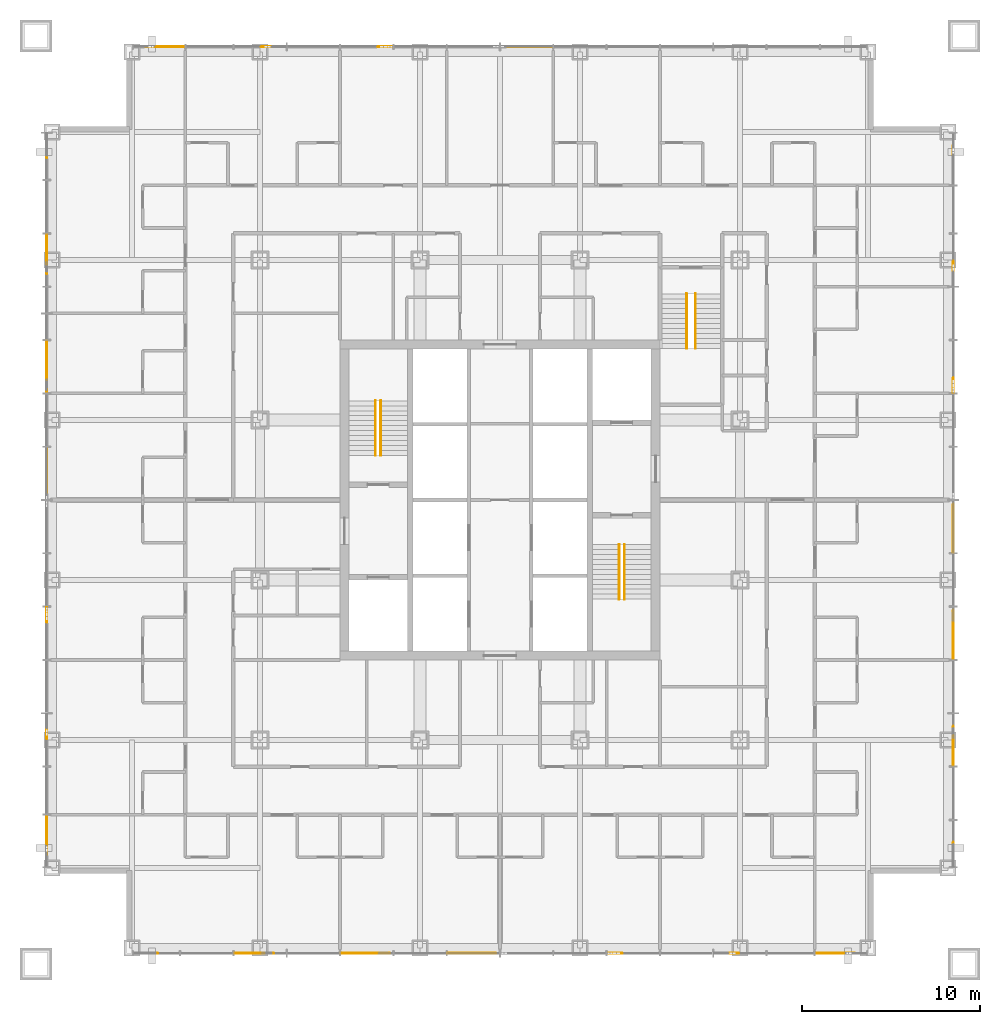
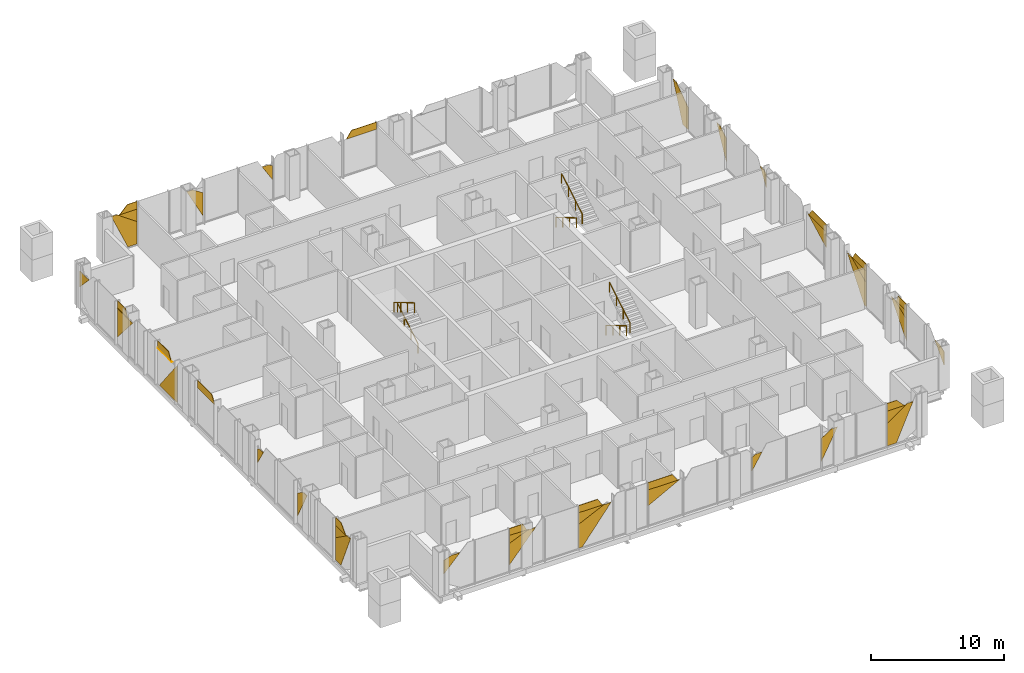
# One storey, part 13 of 23: 45 coverings, 6 railings.
"""IFC4 building model written with IfcOpenShell, lengths in metres."""

import ifcopenshell
import ifcopenshell.guid

model = None  # the IFC model being written
_history = None  # IfcOwnerHistory: only IFC2X3 demands one
_inside = {}  # id of a spatial element -> (the spatial element, [elements in it])
_under = {}  # id of a project, library or spatial element -> (it, [spatial elements below it])
_declared = {}  # id of a project -> (the project, [libraries it declares])
_typed = {}  # id of a type object -> (the type object, [elements of that type])
_made_of = {}  # id of a material, layer set ... -> (it, [elements and type objects made of it])


def new_model(schema):
    """Start an empty IFC model of exactly this schema.

    Asked for "IFC4X3", IfcOpenShell would pick the latest addendum, in which some entities
    have other attributes; the version numbers below select the first issue.
    IFC2X3 requires an IfcOwnerHistory on every rooted entity: one is made here for all.
    """
    global model, _history
    if schema == "IFC4X3":
        model = ifcopenshell.file(schema_version=(4, 3, 0, 0))
    else:
        model = ifcopenshell.file(schema=schema)
    _inside.clear()
    _under.clear()
    _declared.clear()
    _typed.clear()
    _made_of.clear()
    _history = None
    if model.schema == "IFC2X3":
        org = make("IfcOrganization", Name="unknown")
        user = make(
            "IfcPersonAndOrganization",
            ThePerson=make("IfcPerson", FamilyName="unknown"),
            TheOrganization=org,
        )
        app = make(
            "IfcApplication",
            ApplicationDeveloper=org,
            Version="unknown",
            ApplicationFullName="unknown",
            ApplicationIdentifier="unknown",
        )
        _history = make(
            "IfcOwnerHistory",
            OwningUser=user,
            OwningApplication=app,
            ChangeAction="ADDED",
            CreationDate=0,
        )
    return model


def make(cls, **values):
    """One entity of the class cls with the attributes given. An attribute that is None is left unset."""
    return model.create_entity(
        cls, **{name: value for name, value in values.items() if value is not None}
    )


def rooted(cls, **values):
    """An entity with a GlobalId (a new one), such as an element, a storey or a relation."""
    return make(cls, GlobalId=ifcopenshell.guid.new(), OwnerHistory=_history, **values)


def si_unit(unit_type, name, prefix=None):
    """IfcSIUnit, for example si_unit("LENGTHUNIT", "METRE", prefix="MILLI")."""
    return make("IfcSIUnit", UnitType=unit_type, Prefix=prefix, Name=name)


def assignment(units):
    """IfcUnitAssignment: the units of a project."""
    return None if units is None else make("IfcUnitAssignment", Units=units)


def point(xyz):
    """IfcCartesianPoint."""
    return None if xyz is None else make("IfcCartesianPoint", Coordinates=xyz)


def direction(xyz):
    """IfcDirection."""
    return None if xyz is None else make("IfcDirection", DirectionRatios=xyz)


def frame(location, z_axis=None, x_axis=None):
    """IfcAxis2Placement3D, a coordinate frame: its origin and axes. An axis left out is left unset."""
    return make(
        "IfcAxis2Placement3D",
        Location=point(location),
        Axis=direction(z_axis),
        RefDirection=direction(x_axis),
    )


def frame_2d(location, x_axis=None):
    """IfcAxis2Placement2D, a coordinate frame in the plane: its origin and x axis."""
    return make(
        "IfcAxis2Placement2D", Location=point(location), RefDirection=direction(x_axis)
    )


def origin():
    """The frame at (0, 0, 0) with its axes left unset."""
    return frame((0.0, 0.0, 0.0))


def origin_2d():
    """The frame at (0, 0) in the plane with its x axis left unset."""
    return frame_2d((0.0, 0.0))


def place(relative_to, where):
    """IfcLocalPlacement: puts the frame where relative to a parent placement (None: the world)."""
    return make(
        "IfcLocalPlacement", PlacementRelTo=relative_to, RelativePlacement=where
    )


def context(
    kind, dimensions, precision=None, world=None, true_north=None, identifier=None
):
    """IfcGeometricRepresentationContext, for example the 3D "Model" context."""
    return make(
        "IfcGeometricRepresentationContext",
        ContextIdentifier=identifier,
        ContextType=kind,
        CoordinateSpaceDimension=dimensions,
        Precision=precision,
        WorldCoordinateSystem=world,
        TrueNorth=true_north,
    )


def subcontext(parent, identifier, kind, view, scale=None):
    """IfcGeometricRepresentationSubContext, for example "Body" below "Model"."""
    return make(
        "IfcGeometricRepresentationSubContext",
        ContextIdentifier=identifier,
        ContextType=kind,
        ParentContext=parent,
        TargetScale=scale,
        TargetView=view,
    )


def project(units=None, contexts=None):
    """IfcProject with its units and contexts."""
    return rooted(
        "IfcProject",
        Name="project",
        RepresentationContexts=contexts,
        UnitsInContext=assignment(units),
    )


def spatial(cls, under=None, at=None, **own):
    """A site, building, storey or space (cls), placed at a placement, below another one or the project."""
    s = rooted(cls, ObjectPlacement=at, **own)
    if under is not None:
        _under.setdefault(under.id(), (under, []))[1].append(s)
    return s


def polyline(points):
    """IfcPolyline through the points."""
    return make("IfcPolyline", Points=[point(p) for p in points])


def profile(cls, at=None, kind="AREA", **sizes):
    """A parametric profile (cls). Its sizes go by their IFC names, for example OverallWidth=200.0."""
    return make(cls, ProfileType=kind, Position=at, **sizes)


def circle(**sizes):
    """IfcCircleProfileDef."""
    return profile("IfcCircleProfileDef", **sizes)


def outline(outer, holes=None, kind="AREA"):
    """IfcArbitraryClosedProfileDef: a profile drawn as a closed curve; with holes, ...WithVoids."""
    if holes is None:
        return make("IfcArbitraryClosedProfileDef", ProfileType=kind, OuterCurve=outer)
    return make(
        "IfcArbitraryProfileDefWithVoids",
        ProfileType=kind,
        OuterCurve=outer,
        InnerCurves=holes,
    )


def extrude(swept, where, along, depth):
    """IfcExtrudedAreaSolid: the profile swept, set in the frame where, extruded along a direction by depth."""
    return make(
        "IfcExtrudedAreaSolid",
        SweptArea=swept,
        Position=where,
        ExtrudedDirection=direction(along),
        Depth=depth,
    )


def shape(context_of_items, identifier, shape_type, items):
    """IfcShapeRepresentation: the items that make up one representation, for example the "Body"."""
    return make(
        "IfcShapeRepresentation",
        ContextOfItems=context_of_items,
        RepresentationIdentifier=identifier,
        RepresentationType=shape_type,
        Items=items,
    )


def material(Name=None, Category=None):
    """IfcMaterial."""
    return make("IfcMaterial", Name=Name, Category=Category)


def layer(
    of_material, thickness, ventilated=None, Name=None, Category=None, Priority=None
):
    """IfcMaterialLayer: one layer of a wall or slab, of a material (None: an air gap)."""
    return make(
        "IfcMaterialLayer",
        Material=of_material,
        LayerThickness=thickness,
        IsVentilated=ventilated,
        Name=Name,
        Category=Category,
        Priority=Priority,
    )


def layer_set(layers, Name=None):
    """IfcMaterialLayerSet."""
    return make("IfcMaterialLayerSet", MaterialLayers=layers, LayerSetName=Name)


def made_of(thing, what):
    """Note that an element or type object is made of a material, layer set ...; save() writes the relation."""
    if what is not None:
        _made_of.setdefault(what.id(), (what, []))[1].append(thing)
    return thing


def type_object(cls, material=None, **own):
    """A type object (cls), such as IfcWallType, which elements share."""
    return made_of(rooted(cls, **own), material)


def element(
    cls,
    number,
    at=None,
    inside=None,
    cuts=None,
    type_object=None,
    material=None,
    context=None,
    identifier="Body",
    shape_type=None,
    held_by="IfcProductDefinitionShape",
    body=None,
    shapes=None,
    **own,
):
    """One element of the class cls, such as IfcWall. Its Tag is "e" and its number.

    at: its placement. inside: the storey or other place that contains it. cuts: it is an
    opening in that element (IfcRelVoidsElement). A single representation is given by context,
    identifier, shape_type and body (its items); several are given by shapes. held_by: the class
    of the entity that holds the representations. save() writes the other relations.
    """
    e = rooted(cls, Tag="e%d" % number, ObjectPlacement=at, **own)
    if body is not None:
        shapes = [shape(context, identifier, shape_type, body)]
    if shapes is not None:
        e.Representation = make(held_by, Representations=shapes)
    if inside is not None:
        _inside.setdefault(inside.id(), (inside, []))[1].append(e)
    if cuts is not None:
        rooted(
            "IfcRelVoidsElement", RelatingBuildingElement=cuts, RelatedOpeningElement=e
        )
    if type_object is not None:
        _typed.setdefault(type_object.id(), (type_object, []))[1].append(e)
    return made_of(e, material)


def aggregate(whole, parts):
    """IfcRelAggregates: a whole, such as a stair, and the parts it consists of."""
    return rooted("IfcRelAggregates", RelatingObject=whole, RelatedObjects=parts)


def save(model, path):
    """Write the relations noted so far, then the file.

    IfcRelAggregates (storeys below a building ...), IfcRelContainedInSpatialStructure (elements
    in a storey), IfcRelDefinesByType, IfcRelAssociatesMaterial and IfcRelDeclares: one each for
    every whole, place, type object, material and project.
    """
    for whole, parts in _under.values():
        aggregate(whole, parts)
    for where, things in _inside.values():
        rooted(
            "IfcRelContainedInSpatialStructure",
            RelatedElements=things,
            RelatingStructure=where,
        )
    for kind, things in _typed.values():
        rooted("IfcRelDefinesByType", RelatedObjects=things, RelatingType=kind)
    for what, things in _made_of.values():
        rooted("IfcRelAssociatesMaterial", RelatedObjects=things, RelatingMaterial=what)
    for by, libraries in _declared.values():
        rooted("IfcRelDeclares", RelatingContext=by, RelatedDefinitions=libraries)
    model.write(path)


model = new_model("IFC4")

# Units and contexts
model_context = context("Model", 3, precision=1e-05, world=origin(), true_north=direction((0.0, 1.0)))
body_context = subcontext(model_context, "Body", "Model", "MODEL_VIEW")
ifc_project = project(units=[si_unit("LENGTHUNIT", "METRE"), si_unit("AREAUNIT", "SQUARE_METRE"), si_unit("VOLUMEUNIT", "CUBIC_METRE"), si_unit("PLANEANGLEUNIT", "RADIAN"), si_unit("MASSUNIT", "GRAM", prefix="KILO")], contexts=[model_context])

# Site, building, storey
site_placement = place(None, origin())
site = spatial("IfcSite", under=ifc_project, at=site_placement, CompositionType="ELEMENT")
building_placement = place(site_placement, origin())
building = spatial("IfcBuilding", under=site, at=building_placement, Name="Malebo Sky Hospital", CompositionType="ELEMENT")
storey_placement = place(building_placement, frame((0.0, 0.0, 91.0)))
storey = spatial("IfcBuildingStorey", under=building, at=storey_placement, Name="L21", CompositionType="ELEMENT", Elevation=91.0)

# Coverings
ifc_material_1 = material(Name="Anodised aluminium, natural silver insulated infill panel", Category="aluminium")
ifc_layer = layer(ifc_material_1, 0.0400390625)
ifc_layer_set = layer_set([ifc_layer], Name="BRACE INFILL PANEL 40")
covering_type = type_object("IfcCoveringType", Name="BRACE INFILL PANEL 40", PredefinedType="CLADDING", material=ifc_layer_set)
covering_1_placement = place(storey_placement, frame((41.14306640625, 87.5, 0.10009765625), z_axis=(0.0, 0.0, 1.0), x_axis=(1.0, 0.0, 0.0)))
element("IfcCovering", 1, at=covering_1_placement, inside=storey, type_object=covering_type, Name="Brace infill panel 1.1", PredefinedType="CLADDING", context=body_context, shape_type="SweptSolid", body=[
    extrude(outline(polyline([(0.31689453125, 0.0), (1.119384765625, 0.0), (1.119384765625, 2.033447265625), (-0.641357421875, 3.27783203125), (-1.119384765625, 3.27783203125), (0.31689453125, 0.0)])), frame((0.0, 0.02001953125, 0.0), z_axis=(0.0, -1.0, 0.0), x_axis=(1.0, 0.0, 0.0)), (0.0, 0.0, 1.0), 0.0400390625),
])
covering_2_placement = place(storey_placement, frame((41.446533203125, 87.5, 2.133544921875), z_axis=(0.0, 0.0, 1.0), x_axis=(1.0, 0.0, 0.0)))
element("IfcCovering", 2, at=covering_2_placement, inside=storey, type_object=covering_type, Name="Brace infill panel 1.2", PredefinedType="CLADDING", context=body_context, shape_type="SweptSolid", body=[
    extrude(outline(polyline([(0.81591796875, 0.0), (0.81591796875, 1.1533203125), (-0.81591796875, 1.1533203125), (0.81591796875, 0.0)])), frame((0.0, 0.02001953125, 0.0), z_axis=(0.0, -1.0, 0.0), x_axis=(1.0, 0.0, 0.0)), (0.0, 0.0, 1.0), 0.0400390625),
])
covering_3_placement = place(storey_placement, frame((41.5126953125, 87.5, 3.286865234375), z_axis=(0.0, 0.0, 1.0), x_axis=(1.0, 0.0, 0.0)))
element("IfcCovering", 3, at=covering_3_placement, inside=storey, type_object=covering_type, Name="Brace infill panel 1.3", PredefinedType="CLADDING", context=body_context, shape_type="SweptSolid", body=[
    extrude(outline(polyline([(-0.749755859375, 0.0), (0.749755859375, 0.0), (0.749755859375, 0.703125), (-0.0859375, 0.703125), (-0.749755859375, 0.0)])), frame((0.0, 0.02001953125, 0.0), z_axis=(0.0, -1.0, 0.0), x_axis=(1.0, 0.0, 0.0)), (0.0, 0.0, 1.0), 0.0400390625),
])
covering_4_placement = place(storey_placement, frame((47.2578125, 87.5, 0.66259765625), z_axis=(0.0, 0.0, 1.0), x_axis=(1.0, 0.0, 0.0)))
element("IfcCovering", 4, at=covering_4_placement, inside=storey, type_object=covering_type, Name="Brace infill panel 3.1", PredefinedType="CLADDING", context=body_context, shape_type="SweptSolid", body=[
    extrude(outline(polyline([(0.70458984375, 0.0), (0.70458984375, 2.116943359375), (-0.193359375, 2.697509765625), (-0.70458984375, 2.697509765625), (0.70458984375, 0.0)])), frame((0.0, 0.02001953125, 0.0), z_axis=(0.0, -1.0, 0.0), x_axis=(1.0, 0.0, 0.0)), (0.0, 0.0, 1.0), 0.0400390625),
])
covering_5_placement = place(storey_placement, frame((53.52490234375, 87.5, 1.89990234375), z_axis=(0.0, 0.0, 1.0), x_axis=(1.0, 0.0, 0.0)))
element("IfcCovering", 5, at=covering_5_placement, inside=storey, type_object=covering_type, Name="Brace infill panel 5.1", PredefinedType="CLADDING", context=body_context, shape_type="SweptSolid", body=[
    extrude(outline(polyline([(0.437744140625, 0.0), (0.437744140625, 1.24951171875), (0.10888671875, 1.442626953125), (-0.437744140625, 1.442626953125), (0.437744140625, 0.0)])), frame((0.0, 0.02001953125, 0.0), z_axis=(0.0, -1.0, 0.0), x_axis=(1.0, 0.0, 0.0)), (0.0, 0.0, 1.0), 0.0400390625),
])
covering_6_placement = place(storey_placement, frame((61.669677734375, 87.5, 3.326904296875), z_axis=(0.0, 0.0, 1.0), x_axis=(1.0, 0.0, 0.0)))
element("IfcCovering", 6, at=covering_6_placement, inside=storey, type_object=covering_type, Name="Brace infill panel 8.1", PredefinedType="CLADDING", context=body_context, shape_type="SweptSolid", body=[
    extrude(outline(polyline([(-1.292724609375, 0.0), (1.29296875, 0.0), (1.29296875, 0.6630859375), (-0.83447265625, 0.6630859375), (-1.292724609375, 0.0)])), frame((0.0, 0.02001953125, 0.0), z_axis=(0.0, -1.0, 0.0), x_axis=(1.0, 0.0, 0.0)), (0.0, 0.0, 1.0), 0.0400390625),
])
covering_7_placement = place(storey_placement, frame((34.5, 43.14306640625, 0.10009765625), z_axis=(0.0, 0.0, 1.0), x_axis=(0.0, 1.0, 0.0)))
element("IfcCovering", 7, at=covering_7_placement, inside=storey, type_object=covering_type, Name="Brace infill panel 1.1", PredefinedType="CLADDING", context=body_context, shape_type="SweptSolid", body=[
    extrude(outline(polyline([(0.31689453125, 0.0), (1.119384765625, 0.0), (1.119384765625, 2.033447265625), (-0.641357421875, 3.27783203125), (-1.119384765625, 3.27783203125), (0.31689453125, 0.0)])), frame((0.0, 0.02001953125, 0.0), z_axis=(0.0, -1.0, 0.0), x_axis=(1.0, 0.0, 0.0)), (0.0, 0.0, 1.0), 0.0400390625),
])
covering_8_placement = place(storey_placement, frame((34.5, 43.446533203125, 2.133544921875), z_axis=(0.0, 0.0, 1.0), x_axis=(0.0, 1.0, 0.0)))
element("IfcCovering", 8, at=covering_8_placement, inside=storey, type_object=covering_type, Name="Brace infill panel 1.2", PredefinedType="CLADDING", context=body_context, shape_type="SweptSolid", body=[
    extrude(outline(polyline([(0.81591796875, 0.0), (0.81591796875, 1.1533203125), (-0.81591796875, 1.1533203125), (0.81591796875, 0.0)])), frame((0.0, 0.02001953125, 0.0), z_axis=(0.0, -1.0, 0.0), x_axis=(1.0, 0.0, 0.0)), (0.0, 0.0, 1.0), 0.0400390625),
])
covering_9_placement = place(storey_placement, frame((34.5, 43.5126953125, 3.286865234375), z_axis=(0.0, 0.0, 1.0), x_axis=(0.0, 1.0, 0.0)))
element("IfcCovering", 9, at=covering_9_placement, inside=storey, type_object=covering_type, Name="Brace infill panel 1.3", PredefinedType="CLADDING", context=body_context, shape_type="SweptSolid", body=[
    extrude(outline(polyline([(-0.749755859375, 0.0), (0.749755859375, 0.0), (0.749755859375, 0.703125), (-0.0859375, 0.703125), (-0.749755859375, 0.0)])), frame((0.0, 0.02001953125, 0.0), z_axis=(0.0, -1.0, 0.0), x_axis=(1.0, 0.0, 0.0)), (0.0, 0.0, 1.0), 0.0400390625),
])
covering_10_placement = place(storey_placement, frame((34.5, 49.2578125, 0.66259765625), z_axis=(0.0, 0.0, 1.0), x_axis=(0.0, 1.0, 0.0)))
element("IfcCovering", 10, at=covering_10_placement, inside=storey, type_object=covering_type, Name="Brace infill panel 3.1", PredefinedType="CLADDING", context=body_context, shape_type="SweptSolid", body=[
    extrude(outline(polyline([(0.70458984375, 0.0), (0.70458984375, 2.116943359375), (-0.193359375, 2.697509765625), (-0.70458984375, 2.697509765625), (0.70458984375, 0.0)])), frame((0.0, 0.02001953125, 0.0), z_axis=(0.0, -1.0, 0.0), x_axis=(1.0, 0.0, 0.0)), (0.0, 0.0, 1.0), 0.0400390625),
])
covering_11_placement = place(storey_placement, frame((34.5, 55.52490234375, 1.89990234375), z_axis=(0.0, 0.0, 1.0), x_axis=(0.0, 1.0, 0.0)))
element("IfcCovering", 11, at=covering_11_placement, inside=storey, type_object=covering_type, Name="Brace infill panel 5.1", PredefinedType="CLADDING", context=body_context, shape_type="SweptSolid", body=[
    extrude(outline(polyline([(0.437744140625, 0.0), (0.437744140625, 1.24951171875), (0.10888671875, 1.442626953125), (-0.437744140625, 1.442626953125), (0.437744140625, 0.0)])), frame((0.0, 0.02001953125, 0.0), z_axis=(0.0, -1.0, 0.0), x_axis=(1.0, 0.0, 0.0)), (0.0, 0.0, 1.0), 0.0400390625),
])
covering_12_placement = place(storey_placement, frame((34.5, 63.669677734375, 3.326904296875), z_axis=(0.0, 0.0, 1.0), x_axis=(0.0, 1.0, 0.0)))
element("IfcCovering", 12, at=covering_12_placement, inside=storey, type_object=covering_type, Name="Brace infill panel 8.1", PredefinedType="CLADDING", context=body_context, shape_type="SweptSolid", body=[
    extrude(outline(polyline([(-1.292724609375, 0.0), (1.29296875, 0.0), (1.29296875, 0.6630859375), (-0.83447265625, 0.6630859375), (-1.292724609375, 0.0)])), frame((0.0, 0.02001953125, 0.0), z_axis=(0.0, -1.0, 0.0), x_axis=(1.0, 0.0, 0.0)), (0.0, 0.0, 1.0), 0.0400390625),
])
covering_13_placement = place(storey_placement, frame((34.5, 69.34423828125, 0.10009765625), z_axis=(0.0, 0.0, 1.0), x_axis=(0.0, 1.0, 0.0)))
element("IfcCovering", 13, at=covering_13_placement, inside=storey, type_object=covering_type, Name="Brace infill panel 10.1", PredefinedType="CLADDING", context=body_context, shape_type="SweptSolid", body=[
    extrude(outline(polyline([(-1.306640625, 0.0), (1.306640625, 0.0), (-1.306640625, 3.370849609375), (-1.306640625, 0.0)])), frame((0.0, 0.02001953125, 0.0), z_axis=(0.0, -1.0, 0.0), x_axis=(1.0, 0.0, 0.0)), (0.0, 0.0, 1.0), 0.0400390625),
])
covering_14_placement = place(storey_placement, frame((34.5, 69.937744140625, 3.3427734375), z_axis=(0.0, 0.0, 1.0), x_axis=(0.0, 1.0, 0.0)))
element("IfcCovering", 14, at=covering_14_placement, inside=storey, type_object=covering_type, Name="Brace infill panel 10.2", PredefinedType="CLADDING", context=body_context, shape_type="SweptSolid", body=[
    extrude(outline(polyline([(-1.02490234375, 0.0), (1.02490234375, 0.0), (1.02490234375, 0.647216796875), (-0.632080078125, 0.647216796875), (-1.02490234375, 0.0)])), frame((0.0, 0.02001953125, 0.0), z_axis=(0.0, -1.0, 0.0), x_axis=(1.0, 0.0, 0.0)), (0.0, 0.0, 1.0), 0.0400390625),
])
covering_15_placement = place(storey_placement, frame((34.5, 69.845947265625, 3.31201171875), z_axis=(0.0, 0.0, 1.0), x_axis=(0.0, 1.0, 0.0)))
element("IfcCovering", 15, at=covering_15_placement, inside=storey, type_object=covering_type, Name="Brace infill panel 10.4", PredefinedType="CLADDING", context=body_context, shape_type="SweptSolid", body=[
    extrude(outline(polyline([(-1.052001953125, 0.0), (1.11669921875, 0.0), (1.11669921875, 0.030517578125), (-1.11669921875, 0.030517578125), (-1.052001953125, 0.0)])), frame((0.0, 0.02001953125, 0.0), z_axis=(0.0, -1.0, 0.0), x_axis=(1.0, 0.0, 0.0)), (0.0, 0.0, 1.0), 0.0400390625),
])
covering_16_placement = place(storey_placement, frame((34.5, 75.83056640625, 0.6650390625), z_axis=(0.0, 0.0, 1.0), x_axis=(0.0, 1.0, 0.0)))
element("IfcCovering", 16, at=covering_16_placement, inside=storey, type_object=covering_type, Name="Brace infill panel 13.1", PredefinedType="CLADDING", context=body_context, shape_type="SweptSolid", body=[
    extrude(outline(polyline([(1.1318359375, 0.0), (1.1318359375, 2.633544921875), (-1.1318359375, 2.633544921875), (1.1318359375, 0.0)])), frame((0.0, 0.02001953125, 0.0), z_axis=(0.0, -1.0, 0.0), x_axis=(1.0, 0.0, 0.0)), (0.0, 0.0, 1.0), 0.0400390625),
])
covering_17_placement = place(storey_placement, frame((34.5, 76.20458984375, 3.360107421875), z_axis=(0.0, 0.0, 1.0), x_axis=(0.0, 1.0, 0.0)))
element("IfcCovering", 17, at=covering_17_placement, inside=storey, type_object=covering_type, Name="Brace infill panel 13.2", PredefinedType="CLADDING", context=body_context, shape_type="SweptSolid", body=[
    extrude(outline(polyline([(-0.7578125, 0.0), (0.7578125, 0.0), (0.7578125, 0.6298828125), (-0.4287109375, 0.6298828125), (-0.7578125, 0.0)])), frame((0.0, 0.02001953125, 0.0), z_axis=(0.0, -1.0, 0.0), x_axis=(1.0, 0.0, 0.0)), (0.0, 0.0, 1.0), 0.0400390625),
])
covering_18_placement = place(storey_placement, frame((34.5, 76.10302734375, 3.298828125), z_axis=(0.0, 0.0, 1.0), x_axis=(0.0, 1.0, 0.0)))
element("IfcCovering", 18, at=covering_18_placement, inside=storey, type_object=covering_type, Name="Brace infill panel 13.4", PredefinedType="CLADDING", context=body_context, shape_type="SweptSolid", body=[
    extrude(outline(polyline([(-0.714111328125, 0.0), (0.859375, 0.0), (0.859375, 0.061279296875), (-0.859375, 0.061279296875), (-0.714111328125, 0.0)])), frame((0.0, 0.02001953125, 0.0), z_axis=(0.0, -1.0, 0.0), x_axis=(1.0, 0.0, 0.0)), (0.0, 0.0, 1.0), 0.0400390625),
])
covering_19_placement = place(storey_placement, frame((34.5, 81.930908203125, 1.816162109375), z_axis=(0.0, 0.0, 1.0), x_axis=(0.0, 1.0, 0.0)))
element("IfcCovering", 19, at=covering_19_placement, inside=storey, type_object=covering_type, Name="Brace infill panel 15.1", PredefinedType="CLADDING", context=body_context, shape_type="SweptSolid", body=[
    extrude(outline(polyline([(0.694091796875, 0.0), (0.694091796875, 1.470703125), (-0.694091796875, 1.470703125), (0.694091796875, 0.0)])), frame((0.0, 0.02001953125, 0.0), z_axis=(0.0, -1.0, 0.0), x_axis=(1.0, 0.0, 0.0)), (0.0, 0.0, 1.0), 0.0400390625),
])
covering_20_placement = place(storey_placement, frame((78.85693359375, 36.5, 0.10009765625), z_axis=(0.0, 0.0, 1.0), x_axis=(-1.0, 0.0, 0.0)))
element("IfcCovering", 20, at=covering_20_placement, inside=storey, type_object=covering_type, Name="Brace infill panel 1.1", PredefinedType="CLADDING", context=body_context, shape_type="SweptSolid", body=[
    extrude(outline(polyline([(0.31689453125, 0.0), (1.119384765625, 0.0), (1.119384765625, 2.033447265625), (-0.641357421875, 3.27783203125), (-1.119384765625, 3.27783203125), (0.31689453125, 0.0)])), frame((0.0, 0.02001953125, 0.0), z_axis=(0.0, -1.0, 0.0), x_axis=(1.0, 0.0, 0.0)), (0.0, 0.0, 1.0), 0.0400390625),
])
covering_21_placement = place(storey_placement, frame((78.553466796875, 36.5, 2.133544921875), z_axis=(0.0, 0.0, 1.0), x_axis=(-1.0, 0.0, 0.0)))
element("IfcCovering", 21, at=covering_21_placement, inside=storey, type_object=covering_type, Name="Brace infill panel 1.2", PredefinedType="CLADDING", context=body_context, shape_type="SweptSolid", body=[
    extrude(outline(polyline([(0.81591796875, 0.0), (0.81591796875, 1.1533203125), (-0.81591796875, 1.1533203125), (0.81591796875, 0.0)])), frame((0.0, 0.02001953125, 0.0), z_axis=(0.0, -1.0, 0.0), x_axis=(1.0, 0.0, 0.0)), (0.0, 0.0, 1.0), 0.0400390625),
])
covering_22_placement = place(storey_placement, frame((78.4873046875, 36.5, 3.286865234375), z_axis=(0.0, 0.0, 1.0), x_axis=(-1.0, 0.0, 0.0)))
element("IfcCovering", 22, at=covering_22_placement, inside=storey, type_object=covering_type, Name="Brace infill panel 1.3", PredefinedType="CLADDING", context=body_context, shape_type="SweptSolid", body=[
    extrude(outline(polyline([(-0.749755859375, 0.0), (0.749755859375, 0.0), (0.749755859375, 0.703125), (-0.0859375, 0.703125), (-0.749755859375, 0.0)])), frame((0.0, 0.02001953125, 0.0), z_axis=(0.0, -1.0, 0.0), x_axis=(1.0, 0.0, 0.0)), (0.0, 0.0, 1.0), 0.0400390625),
])
covering_23_placement = place(storey_placement, frame((72.7421875, 36.5, 0.66259765625), z_axis=(0.0, 0.0, 1.0), x_axis=(-1.0, 0.0, 0.0)))
element("IfcCovering", 23, at=covering_23_placement, inside=storey, type_object=covering_type, Name="Brace infill panel 3.1", PredefinedType="CLADDING", context=body_context, shape_type="SweptSolid", body=[
    extrude(outline(polyline([(0.70458984375, 0.0), (0.70458984375, 2.116943359375), (-0.193359375, 2.697509765625), (-0.70458984375, 2.697509765625), (0.70458984375, 0.0)])), frame((0.0, 0.02001953125, 0.0), z_axis=(0.0, -1.0, 0.0), x_axis=(1.0, 0.0, 0.0)), (0.0, 0.0, 1.0), 0.0400390625),
])
covering_24_placement = place(storey_placement, frame((66.47509765625, 36.5, 1.89990234375), z_axis=(0.0, 0.0, 1.0), x_axis=(-1.0, 0.0, 0.0)))
element("IfcCovering", 24, at=covering_24_placement, inside=storey, type_object=covering_type, Name="Brace infill panel 5.1", PredefinedType="CLADDING", context=body_context, shape_type="SweptSolid", body=[
    extrude(outline(polyline([(0.437744140625, 0.0), (0.437744140625, 1.24951171875), (0.10888671875, 1.442626953125), (-0.437744140625, 1.442626953125), (0.437744140625, 0.0)])), frame((0.0, 0.02001953125, 0.0), z_axis=(0.0, -1.0, 0.0), x_axis=(1.0, 0.0, 0.0)), (0.0, 0.0, 1.0), 0.0400390625),
])
covering_25_placement = place(storey_placement, frame((58.4140625, 36.5, 1.868896484375), z_axis=(0.0, 0.0, 1.0), x_axis=(-1.0, 0.0, 0.0)))
element("IfcCovering", 25, at=covering_25_placement, inside=storey, type_object=covering_type, Name="Brace infill panel 8.1", PredefinedType="CLADDING", context=body_context, shape_type="SweptSolid", body=[
    extrude(outline(polyline([(1.37646484375, 0.0), (1.37646484375, 1.4580078125), (-1.37646484375, 1.4580078125), (1.37646484375, 0.0)])), frame((0.0, 0.02001953125, 0.0), z_axis=(0.0, -1.0, 0.0), x_axis=(1.0, 0.0, 0.0)), (0.0, 0.0, 1.0), 0.0400390625),
])
covering_26_placement = place(storey_placement, frame((58.330322265625, 36.5, 3.326904296875), z_axis=(0.0, 0.0, 1.0), x_axis=(-1.0, 0.0, 0.0)))
element("IfcCovering", 26, at=covering_26_placement, inside=storey, type_object=covering_type, Name="Brace infill panel 8.2", PredefinedType="CLADDING", context=body_context, shape_type="SweptSolid", body=[
    extrude(outline(polyline([(-1.292724609375, 0.0), (1.29296875, 0.0), (1.29296875, 0.6630859375), (-0.83447265625, 0.6630859375), (-1.292724609375, 0.0)])), frame((0.0, 0.02001953125, 0.0), z_axis=(0.0, -1.0, 0.0), x_axis=(1.0, 0.0, 0.0)), (0.0, 0.0, 1.0), 0.0400390625),
])
covering_27_placement = place(storey_placement, frame((52.4384765625, 36.5, 0.10009765625), z_axis=(0.0, 0.0, 1.0), x_axis=(-1.0, 0.0, 0.0)))
element("IfcCovering", 27, at=covering_27_placement, inside=storey, type_object=covering_type, Name="Brace infill panel 10.1", PredefinedType="CLADDING", context=body_context, shape_type="SweptSolid", body=[
    extrude(outline(polyline([(1.08935546875, 0.0), (1.40087890625, 0.0), (1.40087890625, 2.184814453125), (-0.767578125, 3.212158203125), (-1.40087890625, 3.212158203125), (1.08935546875, 0.0)])), frame((0.0, 0.02001953125, 0.0), z_axis=(0.0, -1.0, 0.0), x_axis=(1.0, 0.0, 0.0)), (0.0, 0.0, 1.0), 0.0400390625),
])
covering_28_placement = place(storey_placement, frame((52.154052734375, 36.5, 2.28515625), z_axis=(0.0, 0.0, 1.0), x_axis=(-1.0, 0.0, 0.0)))
element("IfcCovering", 28, at=covering_28_placement, inside=storey, type_object=covering_type, Name="Brace infill panel 10.2", PredefinedType="CLADDING", context=body_context, shape_type="SweptSolid", body=[
    extrude(outline(polyline([(1.11669921875, 0.0), (1.11669921875, 1.057861328125), (-1.11669921875, 1.057861328125), (1.11669921875, 0.0)])), frame((0.0, 0.02001953125, 0.0), z_axis=(0.0, -1.0, 0.0), x_axis=(1.0, 0.0, 0.0)), (0.0, 0.0, 1.0), 0.0400390625),
])
covering_29_placement = place(storey_placement, frame((52.062255859375, 36.5, 3.3427734375), z_axis=(0.0, 0.0, 1.0), x_axis=(-1.0, 0.0, 0.0)))
element("IfcCovering", 29, at=covering_29_placement, inside=storey, type_object=covering_type, Name="Brace infill panel 10.3", PredefinedType="CLADDING", context=body_context, shape_type="SweptSolid", body=[
    extrude(outline(polyline([(-1.02490234375, 0.0), (1.02490234375, 0.0), (1.02490234375, 0.647216796875), (-0.632080078125, 0.647216796875), (-1.02490234375, 0.0)])), frame((0.0, 0.02001953125, 0.0), z_axis=(0.0, -1.0, 0.0), x_axis=(1.0, 0.0, 0.0)), (0.0, 0.0, 1.0), 0.0400390625),
])
covering_30_placement = place(storey_placement, frame((46.16943359375, 36.5, 0.6650390625), z_axis=(0.0, 0.0, 1.0), x_axis=(-1.0, 0.0, 0.0)))
element("IfcCovering", 30, at=covering_30_placement, inside=storey, type_object=covering_type, Name="Brace infill panel 12.1", PredefinedType="CLADDING", context=body_context, shape_type="SweptSolid", body=[
    extrude(outline(polyline([(1.1318359375, 0.0), (1.1318359375, 1.971923828125), (-0.441650390625, 2.633544921875), (-1.1318359375, 2.633544921875), (1.1318359375, 0.0)])), frame((0.0, 0.02001953125, 0.0), z_axis=(0.0, -1.0, 0.0), x_axis=(1.0, 0.0, 0.0)), (0.0, 0.0, 1.0), 0.0400390625),
])
covering_31_placement = place(storey_placement, frame((45.89697265625, 36.5, 2.63720703125), z_axis=(0.0, 0.0, 1.0), x_axis=(-1.0, 0.0, 0.0)))
element("IfcCovering", 31, at=covering_31_placement, inside=storey, type_object=covering_type, Name="Brace infill panel 12.2", PredefinedType="CLADDING", context=body_context, shape_type="SweptSolid", body=[
    extrude(outline(polyline([(0.859375, 0.0), (0.859375, 0.722900390625), (-0.859375, 0.722900390625), (0.859375, 0.0)])), frame((0.0, 0.02001953125, 0.0), z_axis=(0.0, -1.0, 0.0), x_axis=(1.0, 0.0, 0.0)), (0.0, 0.0, 1.0), 0.0400390625),
])
covering_32_placement = place(storey_placement, frame((45.79541015625, 36.5, 3.360107421875), z_axis=(0.0, 0.0, 1.0), x_axis=(-1.0, 0.0, 0.0)))
element("IfcCovering", 32, at=covering_32_placement, inside=storey, type_object=covering_type, Name="Brace infill panel 12.3", PredefinedType="CLADDING", context=body_context, shape_type="SweptSolid", body=[
    extrude(outline(polyline([(-0.7578125, 0.0), (0.7578125, 0.0), (0.7578125, 0.6298828125), (-0.4287109375, 0.6298828125), (-0.7578125, 0.0)])), frame((0.0, 0.02001953125, 0.0), z_axis=(0.0, -1.0, 0.0), x_axis=(1.0, 0.0, 0.0)), (0.0, 0.0, 1.0), 0.0400390625),
])
covering_33_placement = place(storey_placement, frame((40.069091796875, 36.5, 1.816162109375), z_axis=(0.0, 0.0, 1.0), x_axis=(-1.0, 0.0, 0.0)))
element("IfcCovering", 33, at=covering_33_placement, inside=storey, type_object=covering_type, Name="Brace infill panel 14.1", PredefinedType="CLADDING", context=body_context, shape_type="SweptSolid", body=[
    extrude(outline(polyline([(0.694091796875, 0.0), (0.694091796875, 1.23681640625), (0.064208984375, 1.470703125), (-0.694091796875, 1.470703125), (0.694091796875, 0.0)])), frame((0.0, 0.02001953125, 0.0), z_axis=(0.0, -1.0, 0.0), x_axis=(1.0, 0.0, 0.0)), (0.0, 0.0, 1.0), 0.0400390625),
])
covering_34_placement = place(storey_placement, frame((85.5, 80.85693359375, 0.10009765625), z_axis=(0.0, 0.0, 1.0), x_axis=(0.0, -1.0, 0.0)))
element("IfcCovering", 34, at=covering_34_placement, inside=storey, type_object=covering_type, Name="Brace infill panel 1.1", PredefinedType="CLADDING", context=body_context, shape_type="SweptSolid", body=[
    extrude(outline(polyline([(0.31689453125, 0.0), (1.119384765625, 0.0), (1.119384765625, 2.033447265625), (-0.641357421875, 3.27783203125), (-1.119384765625, 3.27783203125), (0.31689453125, 0.0)])), frame((0.0, 0.02001953125, 0.0), z_axis=(0.0, -1.0, 0.0), x_axis=(1.0, 0.0, 0.0)), (0.0, 0.0, 1.0), 0.0400390625),
])
covering_35_placement = place(storey_placement, frame((85.5, 74.7421875, 0.66259765625), z_axis=(0.0, 0.0, 1.0), x_axis=(0.0, -1.0, 0.0)))
element("IfcCovering", 35, at=covering_35_placement, inside=storey, type_object=covering_type, Name="Brace infill panel 3.1", PredefinedType="CLADDING", context=body_context, shape_type="SweptSolid", body=[
    extrude(outline(polyline([(0.70458984375, 0.0), (0.70458984375, 2.116943359375), (-0.193359375, 2.697509765625), (-0.70458984375, 2.697509765625), (0.70458984375, 0.0)])), frame((0.0, 0.02001953125, 0.0), z_axis=(0.0, -1.0, 0.0), x_axis=(1.0, 0.0, 0.0)), (0.0, 0.0, 1.0), 0.0400390625),
])
covering_36_placement = place(storey_placement, frame((85.5, 68.47509765625, 1.89990234375), z_axis=(0.0, 0.0, 1.0), x_axis=(0.0, -1.0, 0.0)))
element("IfcCovering", 36, at=covering_36_placement, inside=storey, type_object=covering_type, Name="Brace infill panel 5.1", PredefinedType="CLADDING", context=body_context, shape_type="SweptSolid", body=[
    extrude(outline(polyline([(0.437744140625, 0.0), (0.437744140625, 1.24951171875), (0.10888671875, 1.442626953125), (-0.437744140625, 1.442626953125), (0.437744140625, 0.0)])), frame((0.0, 0.02001953125, 0.0), z_axis=(0.0, -1.0, 0.0), x_axis=(1.0, 0.0, 0.0)), (0.0, 0.0, 1.0), 0.0400390625),
])
covering_37_placement = place(storey_placement, frame((85.5, 60.4140625, 1.868896484375), z_axis=(0.0, 0.0, 1.0), x_axis=(0.0, -1.0, 0.0)))
element("IfcCovering", 37, at=covering_37_placement, inside=storey, type_object=covering_type, Name="Brace infill panel 8.1", PredefinedType="CLADDING", context=body_context, shape_type="SweptSolid", body=[
    extrude(outline(polyline([(1.37646484375, 0.0), (1.37646484375, 1.4580078125), (-1.37646484375, 1.4580078125), (1.37646484375, 0.0)])), frame((0.0, 0.02001953125, 0.0), z_axis=(0.0, -1.0, 0.0), x_axis=(1.0, 0.0, 0.0)), (0.0, 0.0, 1.0), 0.0400390625),
])
covering_38_placement = place(storey_placement, frame((85.5, 60.330322265625, 3.326904296875), z_axis=(0.0, 0.0, 1.0), x_axis=(0.0, -1.0, 0.0)))
element("IfcCovering", 38, at=covering_38_placement, inside=storey, type_object=covering_type, Name="Brace infill panel 8.2", PredefinedType="CLADDING", context=body_context, shape_type="SweptSolid", body=[
    extrude(outline(polyline([(-1.292724609375, 0.0), (1.29296875, 0.0), (1.29296875, 0.6630859375), (-0.83447265625, 0.6630859375), (-1.292724609375, 0.0)])), frame((0.0, 0.02001953125, 0.0), z_axis=(0.0, -1.0, 0.0), x_axis=(1.0, 0.0, 0.0)), (0.0, 0.0, 1.0), 0.0400390625),
])
covering_39_placement = place(storey_placement, frame((85.5, 54.4384765625, 0.10009765625), z_axis=(0.0, 0.0, 1.0), x_axis=(0.0, -1.0, 0.0)))
element("IfcCovering", 39, at=covering_39_placement, inside=storey, type_object=covering_type, Name="Brace infill panel 10.1", PredefinedType="CLADDING", context=body_context, shape_type="SweptSolid", body=[
    extrude(outline(polyline([(1.08935546875, 0.0), (1.40087890625, 0.0), (1.40087890625, 2.184814453125), (-0.767578125, 3.212158203125), (-1.40087890625, 3.212158203125), (1.08935546875, 0.0)])), frame((0.0, 0.02001953125, 0.0), z_axis=(0.0, -1.0, 0.0), x_axis=(1.0, 0.0, 0.0)), (0.0, 0.0, 1.0), 0.0400390625),
])
covering_40_placement = place(storey_placement, frame((85.5, 54.154052734375, 2.28515625), z_axis=(0.0, 0.0, 1.0), x_axis=(0.0, -1.0, 0.0)))
element("IfcCovering", 40, at=covering_40_placement, inside=storey, type_object=covering_type, Name="Brace infill panel 10.2", PredefinedType="CLADDING", context=body_context, shape_type="SweptSolid", body=[
    extrude(outline(polyline([(1.11669921875, 0.0), (1.11669921875, 1.057861328125), (-1.11669921875, 1.057861328125), (1.11669921875, 0.0)])), frame((0.0, 0.02001953125, 0.0), z_axis=(0.0, -1.0, 0.0), x_axis=(1.0, 0.0, 0.0)), (0.0, 0.0, 1.0), 0.0400390625),
])
covering_41_placement = place(storey_placement, frame((85.5, 54.062255859375, 3.3427734375), z_axis=(0.0, 0.0, 1.0), x_axis=(0.0, -1.0, 0.0)))
element("IfcCovering", 41, at=covering_41_placement, inside=storey, type_object=covering_type, Name="Brace infill panel 10.3", PredefinedType="CLADDING", context=body_context, shape_type="SweptSolid", body=[
    extrude(outline(polyline([(-1.02490234375, 0.0), (1.02490234375, 0.0), (1.02490234375, 0.647216796875), (-0.632080078125, 0.647216796875), (-1.02490234375, 0.0)])), frame((0.0, 0.02001953125, 0.0), z_axis=(0.0, -1.0, 0.0), x_axis=(1.0, 0.0, 0.0)), (0.0, 0.0, 1.0), 0.0400390625),
])
covering_42_placement = place(storey_placement, frame((85.5, 48.16943359375, 0.6650390625), z_axis=(0.0, 0.0, 1.0), x_axis=(0.0, -1.0, 0.0)))
element("IfcCovering", 42, at=covering_42_placement, inside=storey, type_object=covering_type, Name="Brace infill panel 12.1", PredefinedType="CLADDING", context=body_context, shape_type="SweptSolid", body=[
    extrude(outline(polyline([(1.1318359375, 0.0), (1.1318359375, 1.971923828125), (-0.441650390625, 2.633544921875), (-1.1318359375, 2.633544921875), (1.1318359375, 0.0)])), frame((0.0, 0.02001953125, 0.0), z_axis=(0.0, -1.0, 0.0), x_axis=(1.0, 0.0, 0.0)), (0.0, 0.0, 1.0), 0.0400390625),
])
covering_43_placement = place(storey_placement, frame((85.5, 47.89697265625, 2.63720703125), z_axis=(0.0, 0.0, 1.0), x_axis=(0.0, -1.0, 0.0)))
element("IfcCovering", 43, at=covering_43_placement, inside=storey, type_object=covering_type, Name="Brace infill panel 12.2", PredefinedType="CLADDING", context=body_context, shape_type="SweptSolid", body=[
    extrude(outline(polyline([(0.859375, 0.0), (0.859375, 0.722900390625), (-0.859375, 0.722900390625), (0.859375, 0.0)])), frame((0.0, 0.02001953125, 0.0), z_axis=(0.0, -1.0, 0.0), x_axis=(1.0, 0.0, 0.0)), (0.0, 0.0, 1.0), 0.0400390625),
])
covering_44_placement = place(storey_placement, frame((85.5, 47.79541015625, 3.360107421875), z_axis=(0.0, 0.0, 1.0), x_axis=(0.0, -1.0, 0.0)))
element("IfcCovering", 44, at=covering_44_placement, inside=storey, type_object=covering_type, Name="Brace infill panel 12.3", PredefinedType="CLADDING", context=body_context, shape_type="SweptSolid", body=[
    extrude(outline(polyline([(-0.7578125, 0.0), (0.7578125, 0.0), (0.7578125, 0.6298828125), (-0.4287109375, 0.6298828125), (-0.7578125, 0.0)])), frame((0.0, 0.02001953125, 0.0), z_axis=(0.0, -1.0, 0.0), x_axis=(1.0, 0.0, 0.0)), (0.0, 0.0, 1.0), 0.0400390625),
])
covering_45_placement = place(storey_placement, frame((85.5, 42.069091796875, 1.816162109375), z_axis=(0.0, 0.0, 1.0), x_axis=(0.0, -1.0, 0.0)))
element("IfcCovering", 45, at=covering_45_placement, inside=storey, type_object=covering_type, Name="Brace infill panel 14.1", PredefinedType="CLADDING", context=body_context, shape_type="SweptSolid", body=[
    extrude(outline(polyline([(0.694091796875, 0.0), (0.694091796875, 1.23681640625), (0.064208984375, 1.470703125), (-0.694091796875, 1.470703125), (0.694091796875, 0.0)])), frame((0.0, 0.02001953125, 0.0), z_axis=(0.0, -1.0, 0.0), x_axis=(1.0, 0.0, 0.0)), (0.0, 0.0, 1.0), 0.0400390625),
])

# Railings
ifc_material_2 = material(Name="Stainless steel tube", Category="steel")
railing_type = type_object("IfcRailingType", Name="STAIR HANDRAIL 900", PredefinedType="HANDRAIL", material=ifc_material_2)
railing_1_placement = place(storey_placement, frame((53.300048828125, 64.5, 0.166748046875)))
element("IfcRailing", 46, at=railing_1_placement, inside=storey, type_object=railing_type, Name="Stair handrail S1 flight 1", PredefinedType="HANDRAIL", context=body_context, shape_type="SweptSolid", body=[
    extrude(circle(Radius=0.02392578125, at=origin_2d()), frame((0.0, 0.0, 0.8759765625), z_axis=(0.0, 0.859308565015, 0.511457515432), x_axis=(-1.0, 0.0, 0.0)), (0.0, 0.0, 1.0), 3.58447265625),
    extrude(circle(Radius=0.02099609375, at=origin_2d()), origin(), (0.0, 0.0, 1.0), 0.851806640625),
    extrude(circle(Radius=0.02099609375, at=origin_2d()), frame((0.0, 1.026611328125, 0.611083984375)), (0.0, 0.0, 1.0), 0.851806640625),
    extrude(circle(Radius=0.02099609375, at=origin_2d()), frame((0.0, 2.053466796875, 1.22216796875)), (0.0, 0.0, 1.0), 0.851806640625),
    extrude(circle(Radius=0.02099609375, at=origin_2d()), frame((0.0, 3.080078125, 1.833251953125)), (0.0, 0.0, 1.0), 0.851806640625),
])
for number, where, name in (
    (47, (53.0, 67.580078125, 2.166748046875), "Stair handrail S1 flight 2"),
    (48, (66.699951171875, 59.5, 0.166748046875), "Stair handrail S2 flight 1"),
):
    element("IfcRailing", number, at=place(storey_placement, frame(where)), inside=storey, type_object=railing_type, Name=name, PredefinedType="HANDRAIL", context=body_context, shape_type="SweptSolid", body=[
        extrude(circle(Radius=0.02392578125, at=origin_2d()), frame((0.0, 0.0, 0.8759765625), z_axis=(0.0, -0.859308565015, 0.511457515432), x_axis=(1.0, 0.0, 0.0)), (0.0, 0.0, 1.0), 3.58447265625),
        extrude(circle(Radius=0.02099609375, at=origin_2d()), origin(), (0.0, 0.0, 1.0), 0.851806640625),
        extrude(circle(Radius=0.02099609375, at=origin_2d()), frame((0.0, -1.026611328125, 0.611083984375)), (0.0, 0.0, 1.0), 0.851806640625),
        extrude(circle(Radius=0.02099609375, at=origin_2d()), frame((0.0, -2.053466796875, 1.22216796875)), (0.0, 0.0, 1.0), 0.851806640625),
        extrude(circle(Radius=0.02099609375, at=origin_2d()), frame((0.0, -3.080078125, 1.833251953125)), (0.0, 0.0, 1.0), 0.851806640625),
    ])
railing_2_placement = place(storey_placement, frame((67.0, 56.419921875, 2.166748046875)))
element("IfcRailing", 49, at=railing_2_placement, inside=storey, type_object=railing_type, Name="Stair handrail S2 flight 2", PredefinedType="HANDRAIL", context=body_context, shape_type="SweptSolid", body=[
    extrude(circle(Radius=0.02392578125, at=origin_2d()), frame((0.0, 0.0, 0.8759765625), z_axis=(0.0, 0.859308565015, 0.511457515432), x_axis=(-1.0, 0.0, 0.0)), (0.0, 0.0, 1.0), 3.58447265625),
    extrude(circle(Radius=0.02099609375, at=origin_2d()), origin(), (0.0, 0.0, 1.0), 0.851806640625),
    extrude(circle(Radius=0.02099609375, at=origin_2d()), frame((0.0, 1.026611328125, 0.611083984375)), (0.0, 0.0, 1.0), 0.851806640625),
    extrude(circle(Radius=0.02099609375, at=origin_2d()), frame((0.0, 2.053466796875, 1.22216796875)), (0.0, 0.0, 1.0), 0.851806640625),
    extrude(circle(Radius=0.02099609375, at=origin_2d()), frame((0.0, 3.080078125, 1.833251953125)), (0.0, 0.0, 1.0), 0.851806640625),
])
railing_3_placement = place(storey_placement, frame((70.5, 73.60009765625, 0.166748046875)))
element("IfcRailing", 50, at=railing_3_placement, inside=storey, type_object=railing_type, Name="Stair handrail S3 flight 1", PredefinedType="HANDRAIL", context=body_context, shape_type="SweptSolid", body=[
    extrude(circle(Radius=0.02392578125, at=origin_2d()), frame((0.0, 0.0, 0.8759765625), z_axis=(0.0, -0.859308565015, 0.511457515432), x_axis=(1.0, 0.0, 0.0)), (0.0, 0.0, 1.0), 3.58447265625),
    extrude(circle(Radius=0.02099609375, at=origin_2d()), origin(), (0.0, 0.0, 1.0), 0.851806640625),
    extrude(circle(Radius=0.02099609375, at=origin_2d()), frame((0.0, -1.026611328125, 0.611083984375)), (0.0, 0.0, 1.0), 0.851806640625),
    extrude(circle(Radius=0.02099609375, at=origin_2d()), frame((0.0, -2.053466796875, 1.22216796875)), (0.0, 0.0, 1.0), 0.851806640625),
    extrude(circle(Radius=0.02099609375, at=origin_2d()), frame((0.0, -3.080078125, 1.833251953125)), (0.0, 0.0, 1.0), 0.851806640625),
])
railing_4_placement = place(storey_placement, frame((71.0, 70.52001953125, 2.166748046875)))
element("IfcRailing", 51, at=railing_4_placement, inside=storey, type_object=railing_type, Name="Stair handrail S3 flight 2", PredefinedType="HANDRAIL", context=body_context, shape_type="SweptSolid", body=[
    extrude(circle(Radius=0.02392578125, at=origin_2d()), frame((0.0, 0.0, 0.8759765625), z_axis=(0.0, 0.859308565015, 0.511457515432), x_axis=(-1.0, 0.0, 0.0)), (0.0, 0.0, 1.0), 3.58447265625),
    extrude(circle(Radius=0.02099609375, at=origin_2d()), origin(), (0.0, 0.0, 1.0), 0.851806640625),
    extrude(circle(Radius=0.02099609375, at=origin_2d()), frame((0.0, 1.026611328125, 0.611083984375)), (0.0, 0.0, 1.0), 0.851806640625),
    extrude(circle(Radius=0.02099609375, at=origin_2d()), frame((0.0, 2.053466796875, 1.22216796875)), (0.0, 0.0, 1.0), 0.851806640625),
    extrude(circle(Radius=0.02099609375, at=origin_2d()), frame((0.0, 3.080078125, 1.833251953125)), (0.0, 0.0, 1.0), 0.851806640625),
])

save(model, "model.ifc")
